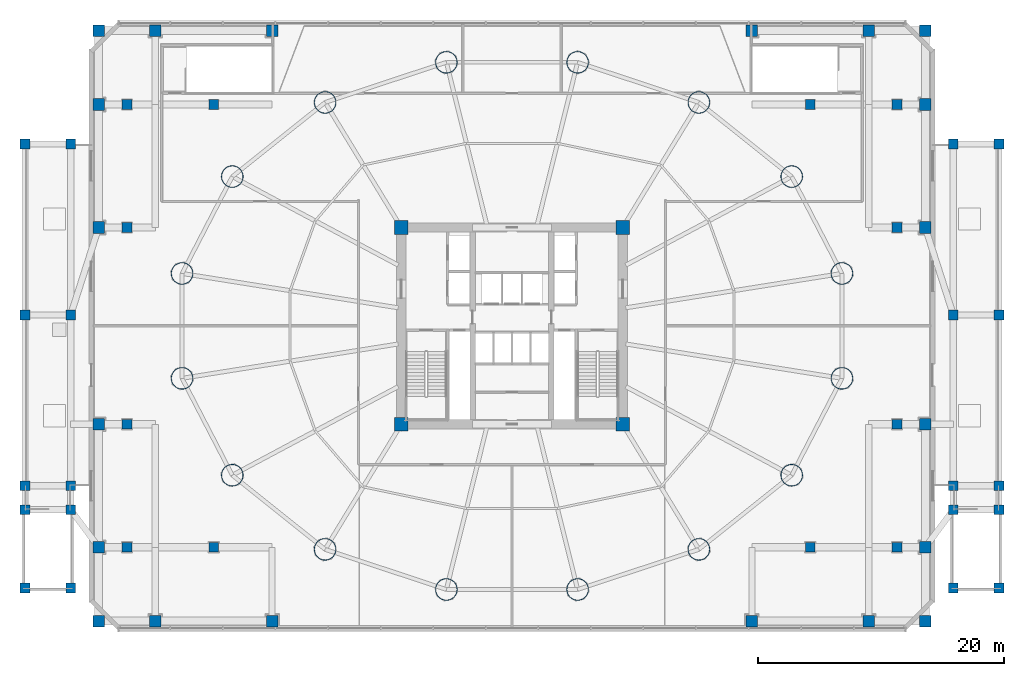
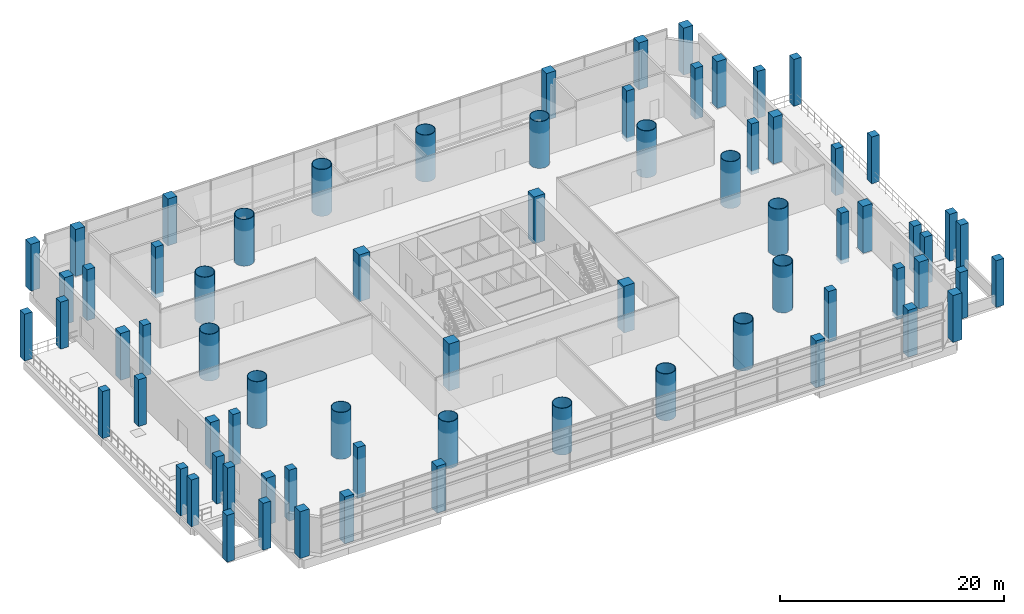
# One storey, part 1 of 31: 72 columns.
"""IFC4 building model written with IfcOpenShell, lengths in metres."""

from ifc_helpers import new_model, si_unit, direction, frame, origin, origin_2d, place, context, subcontext, project, spatial, rectangle, hollow_circle, extrude, material, material_profile, profile_set, type_object, element, save


model = new_model("IFC4")

# Units and contexts
model_context = context("Model", 3, precision=1e-05, world=origin(), true_north=direction((-0.2419218956, 0.970295726276)))
body_context = subcontext(model_context, "Body", "Model", "MODEL_VIEW")
ifc_project = project(units=[si_unit("LENGTHUNIT", "METRE"), si_unit("AREAUNIT", "SQUARE_METRE"), si_unit("VOLUMEUNIT", "CUBIC_METRE"), si_unit("PLANEANGLEUNIT", "RADIAN"), si_unit("MASSUNIT", "GRAM", prefix="KILO")], contexts=[model_context])

# Site, building, storey
site_placement = place(None, origin())
site = spatial("IfcSite", under=ifc_project, at=site_placement, CompositionType="ELEMENT")
building_placement = place(site_placement, origin())
building = spatial("IfcBuilding", under=site, at=building_placement, Name="Cobrevalo Terracotta Tower", CompositionType="ELEMENT")
storey_placement = place(building_placement, frame((0.0, 0.0, 18.89990234375)))
storey = spatial("IfcBuildingStorey", under=building, at=storey_placement, Name="L04", CompositionType="ELEMENT", Elevation=18.89990234375)

# Columns
ifc_material_1 = material(Name="Steel S355", Category="steel")
ifc_material_profile_1 = material_profile(ifc_material_1, hollow_circle(Radius=0.89990234375, WallThickness=0.054931640625, at=origin_2d()), Name="CHS 1800x55")
ifc_profile_set_1 = profile_set([ifc_material_profile_1], Name="Steel S355")
column_type_1 = type_object("IfcColumnType", Name="Structural Column CHS 1800x55 (Steel S355)", PredefinedType="COLUMN", material=ifc_profile_set_1)
for number, where, z_axis, x_axis, name in (
    (1, (64.824462890625, 31.062744140625, 0.0), (0.0, 0.0, 1.0), (1.0, 0.0, 0.0), "L04 composite megacolumn MC01"),
    (2, (60.74072265625, 38.939208984375, 0.0), (0.0, 0.0, 1.0), (1.0, 0.0, 0.0), "L04 composite megacolumn MC02"),
    (3, (53.19482421875, 44.967529296875, 0.0), (0.0, 0.0, 1.0), (1.0, 0.0, 0.0), "L04 composite megacolumn MC03"),
    (4, (43.335693359375, 48.230224609375, 0.0), (0.0, 0.0, 1.0), (1.0, 0.0, 0.0), "L04 composite megacolumn MC04"),
    (5, (32.664306640625, 48.230224609375, 0.0), (0.0, 0.0, 1.0), (1.0, 0.0, 0.0), "L04 composite megacolumn MC05"),
    (6, (22.80517578125, 44.967529296875, 0.0), (0.0, 0.0, 1.0), (1.0, 0.0, 0.0), "L04 composite megacolumn MC06"),
    (7, (15.25927734375, 38.939208984375, 0.0), (0.0, 0.0, 1.0), (1.0, 0.0, 0.0), "L04 composite megacolumn MC07"),
    (8, (11.175537109375, 31.062744140625, 0.0), (0.0, 0.0, 1.0), (1.0, 0.0, 0.0), "L04 composite megacolumn MC08"),
    (9, (11.175537109375, 22.537353515625, 0.0), (0.0, 0.0, 1.0), (1.0, 0.0, 0.0), "L04 composite megacolumn MC09"),
    (10, (15.25927734375, 14.660888671875, 0.0), (0.0, 0.0, 1.0), (1.0, 0.0, 0.0), "L04 composite megacolumn MC10"),
    (11, (22.80517578125, 8.63232421875, 0.0), (0.0, 0.0, 1.0), (1.0, 0.0, 0.0), "L04 composite megacolumn MC11"),
    (12, (32.664306640625, 5.369873046875, 0.0), (0.0, 0.0, 1.0), (1.0, 0.0, 0.0), "L04 composite megacolumn MC12"),
    (13, (43.335693359375, 5.369873046875, 0.0), (0.0, 0.0, 1.0), (1.0, 0.0, 0.0), "L04 composite megacolumn MC13"),
    (14, (53.19482421875, 8.63232421875, 0.0), (0.0, 0.0, 1.0), (1.0, 0.0, 0.0), "L04 composite megacolumn MC14"),
    (15, (60.74072265625, 14.660888671875, 0.0), (0.0, 0.0, 1.0), (1.0, 0.0, 0.0), "L04 composite megacolumn MC15"),
    (16, (64.824462890625, 22.537353515625, 0.0), (0.0, 0.0, 1.0), (1.0, 0.0, 0.0), "L04 composite megacolumn MC16"),
):
    element("IfcColumn", number, at=place(storey_placement, frame(where, z_axis=z_axis, x_axis=x_axis)), inside=storey, type_object=column_type_1, Name=name, PredefinedType="COLUMN", context=body_context, shape_type="SweptSolid", body=[
        extrude(hollow_circle(Radius=0.89990234375, WallThickness=0.054931640625, at=origin_2d()), origin(), (0.0, 0.0, 1.0), 5.10009765625),
    ])
ifc_material_2 = material(Name="Concrete C60", Category="concrete")
ifc_material_profile_2 = material_profile(ifc_material_2, rectangle(XDim=1.10009765625, YDim=1.10009765625, at=origin_2d()), Name="RC COL 1100x1100")
ifc_profile_set_2 = profile_set([ifc_material_profile_2], Name="Concrete C60")
column_type_2 = type_object("IfcColumnType", Name="Structural Column RC COL 1100x1100 (Concrete C60)", PredefinedType="COLUMN", material=ifc_profile_set_2)
for number, where, z_axis, x_axis, name in (
    (17, (29.0, 18.800048828125, 0.0), (0.0, 0.0, 1.0), (1.0, 0.0, 0.0), "L04 core corner column CC1"),
    (18, (47.0, 18.800048828125, 0.0), (0.0, 0.0, 1.0), (1.0, 0.0, 0.0), "L04 core corner column CC2"),
    (19, (47.0, 34.800048828125, 0.0), (0.0, 0.0, 1.0), (1.0, 0.0, 0.0), "L04 core corner column CC3"),
    (20, (29.0, 34.800048828125, 0.0), (0.0, 0.0, 1.0), (1.0, 0.0, 0.0), "L04 core corner column CC4"),
):
    element("IfcColumn", number, at=place(storey_placement, frame(where, z_axis=z_axis, x_axis=x_axis)), inside=storey, type_object=column_type_2, Name=name, PredefinedType="COLUMN", context=body_context, shape_type="SweptSolid", body=[
        extrude(rectangle(XDim=1.10009765625, YDim=1.10009765625, at=origin_2d()), origin(), (0.0, 0.0, 1.0), 5.10009765625),
    ])
ifc_material_3 = material(Name="Concrete C50", Category="concrete")
ifc_material_profile_3 = material_profile(ifc_material_3, rectangle(XDim=0.800048828125, YDim=0.800048828125, at=origin_2d()), Name="RC COL 800x800")
ifc_profile_set_3 = profile_set([ifc_material_profile_3], Name="Concrete C50")
column_type_3 = type_object("IfcColumnType", Name="Structural Column RC COL 800x800 (Concrete C50)", PredefinedType="COLUMN", material=ifc_profile_set_3)
for number, where, z_axis, x_axis, name in (
    (21, (-1.60009765625, 5.5, 0.0), (0.0, 0.0, 1.0), (1.0, 0.0, 0.0), "L04 garden wing column W11"),
    (22, (2.1201171875, 5.5, 0.0), (0.0, 0.0, 1.0), (1.0, 0.0, 0.0), "L04 garden wing column W21"),
    (23, (-1.60009765625, 11.85009765625, 0.0), (0.0, 0.0, 1.0), (1.0, 0.0, 0.0), "L04 garden wing column W12"),
    (24, (2.1201171875, 11.85009765625, 0.0), (0.0, 0.0, 1.0), (1.0, 0.0, 0.0), "L04 garden wing column W22"),
    (25, (-1.60009765625, 13.800048828125, 0.0), (0.0, 0.0, 1.0), (1.0, 0.0, 0.0), "L04 garden wing column W13"),
    (26, (2.1201171875, 13.800048828125, 0.0), (0.0, 0.0, 1.0), (1.0, 0.0, 0.0), "L04 garden wing column W23"),
    (27, (-1.60009765625, 27.699951171875, 0.0), (0.0, 0.0, 1.0), (1.0, 0.0, 0.0), "L04 garden wing column W14"),
    (28, (2.1201171875, 27.699951171875, 0.0), (0.0, 0.0, 1.0), (1.0, 0.0, 0.0), "L04 garden wing column W24"),
    (29, (-1.60009765625, 41.60009765625, 0.0), (0.0, 0.0, 1.0), (1.0, 0.0, 0.0), "L04 garden wing column W15"),
    (30, (2.1201171875, 41.60009765625, 0.0), (0.0, 0.0, 1.0), (1.0, 0.0, 0.0), "L04 garden wing column W25"),
    (31, (73.8798828125, 5.5, 0.0), (0.0, 0.0, 1.0), (1.0, 0.0, 0.0), "L04 garden wing column E11"),
    (32, (77.60009765625, 5.5, 0.0), (0.0, 0.0, 1.0), (1.0, 0.0, 0.0), "L04 garden wing column E21"),
    (33, (73.8798828125, 11.85009765625, 0.0), (0.0, 0.0, 1.0), (1.0, 0.0, 0.0), "L04 garden wing column E12"),
    (34, (77.60009765625, 11.85009765625, 0.0), (0.0, 0.0, 1.0), (1.0, 0.0, 0.0), "L04 garden wing column E22"),
    (35, (73.8798828125, 13.800048828125, 0.0), (0.0, 0.0, 1.0), (1.0, 0.0, 0.0), "L04 garden wing column E13"),
    (36, (77.60009765625, 13.800048828125, 0.0), (0.0, 0.0, 1.0), (1.0, 0.0, 0.0), "L04 garden wing column E23"),
    (37, (73.8798828125, 27.699951171875, 0.0), (0.0, 0.0, 1.0), (1.0, 0.0, 0.0), "L04 garden wing column E14"),
    (38, (77.60009765625, 27.699951171875, 0.0), (0.0, 0.0, 1.0), (1.0, 0.0, 0.0), "L04 garden wing column E24"),
    (39, (73.8798828125, 41.60009765625, 0.0), (0.0, 0.0, 1.0), (1.0, 0.0, 0.0), "L04 garden wing column E15"),
    (40, (77.60009765625, 41.60009765625, 0.0), (0.0, 0.0, 1.0), (1.0, 0.0, 0.0), "L04 garden wing column E25"),
):
    element("IfcColumn", number, at=place(storey_placement, frame(where, z_axis=z_axis, x_axis=x_axis)), inside=storey, type_object=column_type_3, Name=name, PredefinedType="COLUMN", context=body_context, shape_type="SweptSolid", body=[
        extrude(rectangle(XDim=0.800048828125, YDim=0.800048828125, at=origin_2d()), origin(), (0.0, 0.0, 1.0), 5.10009765625),
    ])
for number, where, z_axis, x_axis, name in (
    (41, (6.699951171875, 8.800048828125, -0.449951171875), (0.0, 0.0, 1.0), (1.0, 0.0, 0.0), "L04 transferred garden pavilion column TG-W1"),
    (42, (13.75, 8.800048828125, -0.449951171875), (0.0, 0.0, 1.0), (1.0, 0.0, 0.0), "L04 transferred garden pavilion column TG-W2"),
    (43, (6.699951171875, 18.800048828125, -0.449951171875), (0.0, 0.0, 1.0), (1.0, 0.0, 0.0), "L04 transferred garden pavilion column TG-W3"),
    (44, (6.699951171875, 34.800048828125, -0.449951171875), (0.0, 0.0, 1.0), (1.0, 0.0, 0.0), "L04 transferred garden pavilion column TG-W4"),
    (45, (6.699951171875, 44.800048828125, -0.449951171875), (0.0, 0.0, 1.0), (1.0, 0.0, 0.0), "L04 transferred garden pavilion column TG-W5"),
    (46, (13.75, 44.800048828125, -0.449951171875), (0.0, 0.0, 1.0), (1.0, 0.0, 0.0), "L04 transferred garden pavilion column TG-W6"),
    (47, (69.300048828125, 8.800048828125, -0.449951171875), (0.0, 0.0, 1.0), (1.0, 0.0, 0.0), "L04 transferred garden pavilion column TG-E1"),
    (48, (62.25, 8.800048828125, -0.449951171875), (0.0, 0.0, 1.0), (1.0, 0.0, 0.0), "L04 transferred garden pavilion column TG-E2"),
    (49, (69.300048828125, 18.800048828125, -0.449951171875), (0.0, 0.0, 1.0), (1.0, 0.0, 0.0), "L04 transferred garden pavilion column TG-E3"),
    (50, (69.300048828125, 34.800048828125, -0.449951171875), (0.0, 0.0, 1.0), (1.0, 0.0, 0.0), "L04 transferred garden pavilion column TG-E4"),
    (51, (69.300048828125, 44.800048828125, -0.449951171875), (0.0, 0.0, 1.0), (1.0, 0.0, 0.0), "L04 transferred garden pavilion column TG-E5"),
    (52, (62.25, 44.800048828125, -0.449951171875), (0.0, 0.0, 1.0), (1.0, 0.0, 0.0), "L04 transferred garden pavilion column TG-E6"),
):
    element("IfcColumn", number, at=place(storey_placement, frame(where, z_axis=z_axis, x_axis=x_axis)), inside=storey, type_object=column_type_3, Name=name, PredefinedType="COLUMN", context=body_context, shape_type="SweptSolid", body=[
        extrude(rectangle(XDim=0.800048828125, YDim=0.800048828125, at=origin_2d()), origin(), (0.0, 0.0, 1.0), 5.550048828125),
    ])
ifc_material_4 = material(Name="Concrete C55", Category="concrete")
ifc_material_profile_4 = material_profile(ifc_material_4, rectangle(XDim=0.949951171875, YDim=0.949951171875, at=origin_2d()), Name="RC COL 950x950")
ifc_profile_set_4 = profile_set([ifc_material_profile_4], Name="Concrete C55")
column_type_4 = type_object("IfcColumnType", Name="Structural Column RC COL 950x950 (Concrete C55)", PredefinedType="COLUMN", material=ifc_profile_set_4)
for number, where, z_axis, x_axis, name in (
    (53, (4.39990234375, 2.800048828125, 0.0), (0.0, 0.0, 1.0), (1.0, 0.0, 0.0), "L04 podium column G1-GA"),
    (54, (4.39990234375, 8.800048828125, 0.0), (0.0, 0.0, 1.0), (1.0, 0.0, 0.0), "L04 podium column G1-GB"),
    (55, (4.39990234375, 18.800048828125, 0.0), (0.0, 0.0, 1.0), (1.0, 0.0, 0.0), "L04 podium column G1-GC"),
    (56, (4.39990234375, 34.800048828125, 0.0), (0.0, 0.0, 1.0), (1.0, 0.0, 0.0), "L04 podium column G1-GE"),
    (57, (4.39990234375, 44.800048828125, 0.0), (0.0, 0.0, 1.0), (1.0, 0.0, 0.0), "L04 podium column G1-GF"),
    (58, (4.39990234375, 50.800048828125, 0.0), (0.0, 0.0, 1.0), (1.0, 0.0, 0.0), "L04 podium column G1-GG"),
    (59, (9.0, 2.800048828125, 0.0), (0.0, 0.0, 1.0), (1.0, 0.0, 0.0), "L04 podium column G2-GA"),
    (60, (9.0, 50.800048828125, 0.0), (0.0, 0.0, 1.0), (1.0, 0.0, 0.0), "L04 podium column G2-GG"),
    (61, (18.5, 2.800048828125, 0.0), (0.0, 0.0, 1.0), (1.0, 0.0, 0.0), "L04 podium column G3-GA"),
    (62, (18.5, 50.800048828125, 0.0), (0.0, 0.0, 1.0), (1.0, 0.0, 0.0), "L04 podium column G3-GG"),
    (63, (57.5, 2.800048828125, 0.0), (0.0, 0.0, 1.0), (1.0, 0.0, 0.0), "L04 podium column G7-GA"),
    (64, (57.5, 50.800048828125, 0.0), (0.0, 0.0, 1.0), (1.0, 0.0, 0.0), "L04 podium column G7-GG"),
    (65, (67.0, 2.800048828125, 0.0), (0.0, 0.0, 1.0), (1.0, 0.0, 0.0), "L04 podium column G8-GA"),
    (66, (67.0, 50.800048828125, 0.0), (0.0, 0.0, 1.0), (1.0, 0.0, 0.0), "L04 podium column G8-GG"),
    (67, (71.60009765625, 2.800048828125, 0.0), (0.0, 0.0, 1.0), (1.0, 0.0, 0.0), "L04 podium column G9-GA"),
    (68, (71.60009765625, 8.800048828125, 0.0), (0.0, 0.0, 1.0), (1.0, 0.0, 0.0), "L04 podium column G9-GB"),
    (69, (71.60009765625, 18.800048828125, 0.0), (0.0, 0.0, 1.0), (1.0, 0.0, 0.0), "L04 podium column G9-GC"),
    (70, (71.60009765625, 34.800048828125, 0.0), (0.0, 0.0, 1.0), (1.0, 0.0, 0.0), "L04 podium column G9-GE"),
    (71, (71.60009765625, 44.800048828125, 0.0), (0.0, 0.0, 1.0), (1.0, 0.0, 0.0), "L04 podium column G9-GF"),
    (72, (71.60009765625, 50.800048828125, 0.0), (0.0, 0.0, 1.0), (1.0, 0.0, 0.0), "L04 podium column G9-GG"),
):
    element("IfcColumn", number, at=place(storey_placement, frame(where, z_axis=z_axis, x_axis=x_axis)), inside=storey, type_object=column_type_4, Name=name, PredefinedType="COLUMN", context=body_context, shape_type="SweptSolid", body=[
        extrude(rectangle(XDim=0.949951171875, YDim=0.949951171875, at=origin_2d()), origin(), (0.0, 0.0, 1.0), 5.10009765625),
    ])

save(model, "model.ifc")
